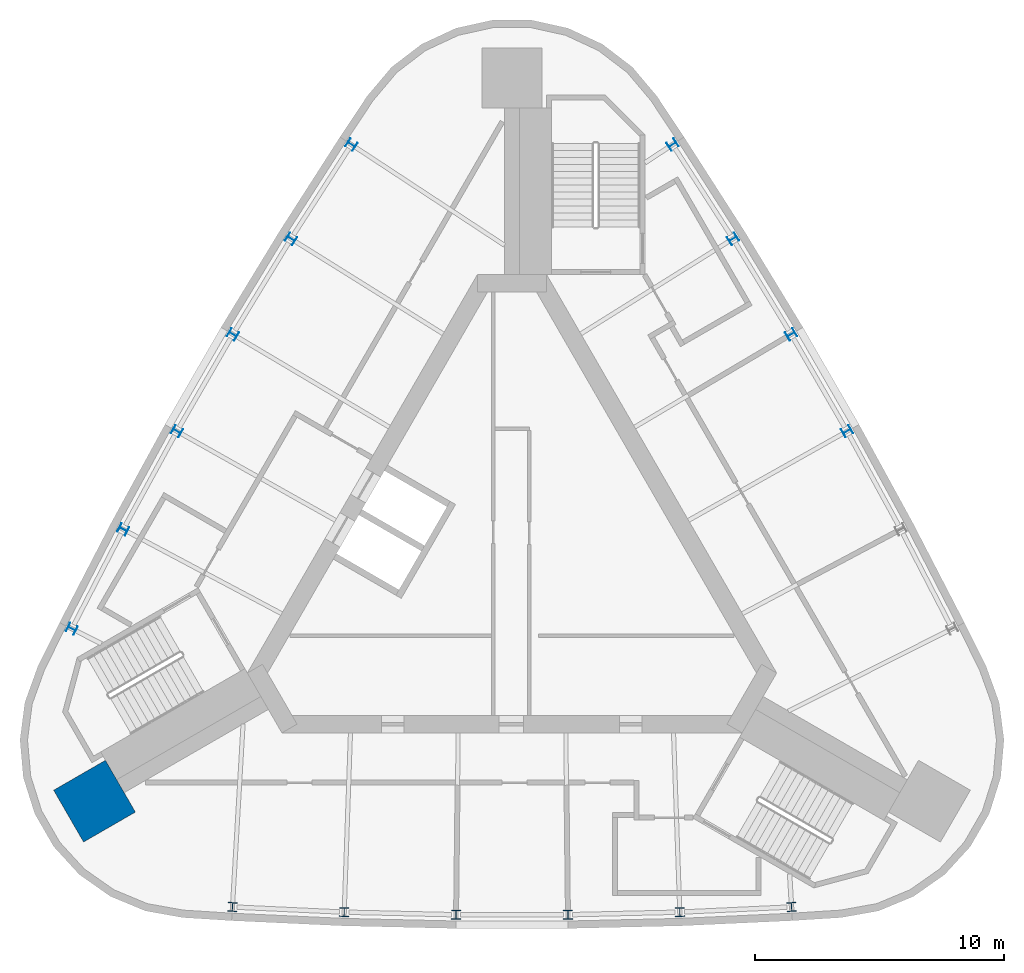
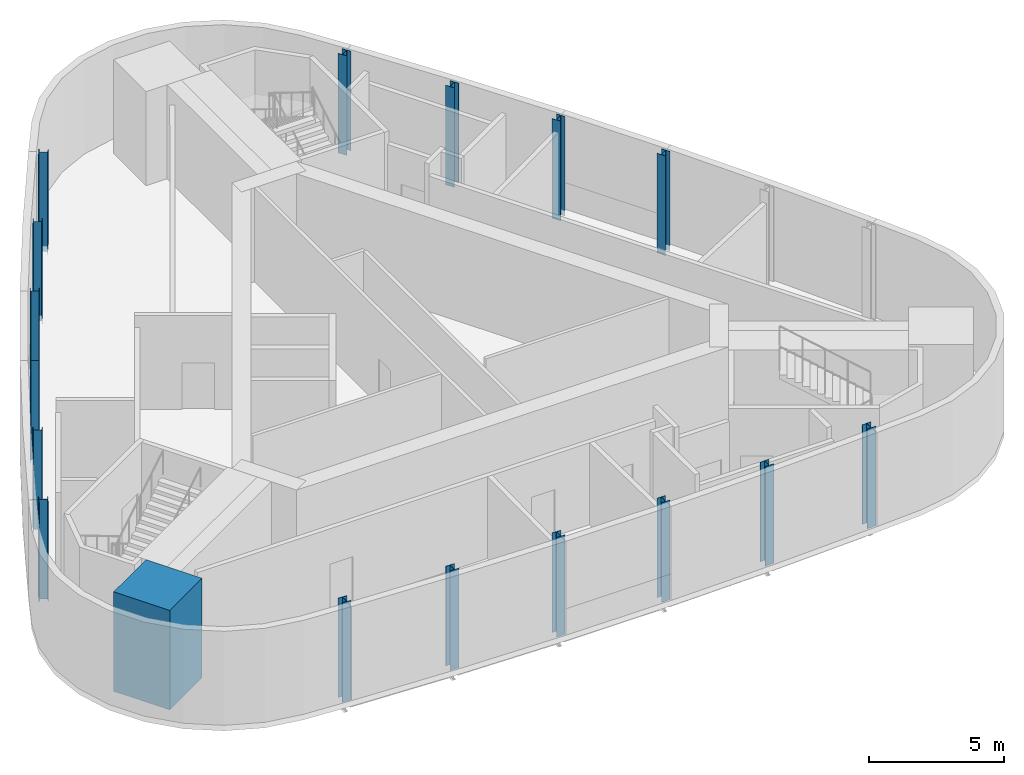
# One storey, part 1 of 7: 17 columns.
"""IFC4 building model written with IfcOpenShell, lengths in metres."""

from ifc_helpers import new_model, si_unit, direction, frame, origin, origin_2d, place, context, subcontext, project, spatial, rectangle, i_section, extrude, material, material_profile, profile_set, type_object, element, save


model = new_model("IFC4")

# Units and contexts
model_context = context("Model", 3, precision=1e-05, world=origin(), true_north=direction((0.0, 1.0)))
body_context = subcontext(model_context, "Body", "Model", "MODEL_VIEW")
ifc_project = project(units=[si_unit("LENGTHUNIT", "METRE"), si_unit("AREAUNIT", "SQUARE_METRE"), si_unit("VOLUMEUNIT", "CUBIC_METRE"), si_unit("PLANEANGLEUNIT", "RADIAN"), si_unit("MASSUNIT", "GRAM", prefix="KILO")], contexts=[model_context])

# Site, building, storey
site_placement = place(None, origin())
site = spatial("IfcSite", under=ifc_project, at=site_placement, CompositionType="ELEMENT")
building_placement = place(site_placement, origin())
building = spatial("IfcBuilding", under=site, at=building_placement, Name="Noor Cloister Tower", CompositionType="ELEMENT")
storey_placement = place(building_placement, frame((0.0, 0.0, 293.10009765625)))
storey = spatial("IfcBuildingStorey", under=building, at=storey_placement, Name="L74", CompositionType="ELEMENT", Elevation=293.10009765625)

# Columns
ifc_material_1 = material(Name="Steel ASTM A992 Gr 50", Category="steel")
ifc_material_profile_1 = material_profile(ifc_material_1, i_section(OverallWidth=0.367919921875, OverallDepth=0.35595703125, WebThickness=0.01123046875, FlangeThickness=0.01806640625, FilletRadius=0.015380859375, at=origin_2d()), Name="W360x134")
ifc_profile_set_1 = profile_set([ifc_material_profile_1], Name="Steel ASTM A992 Gr 50")
column_type_1 = type_object("IfcColumnType", Name="Column W360x134", PredefinedType="COLUMN", material=ifc_profile_set_1)
for number, where, z_axis, x_axis, name in (
    (1, (-6.441650390625, 16.66552734375, -0.25), (0.0, 0.0, 1.0), (-0.549344612048, -0.835595893488, 0.0), "Column NW 01 L74"),
    (2, (-8.863037109375, 12.8876953125, -0.25), (0.0, 0.0, 1.0), (-0.529819164802, -0.84811063701, 0.0), "Column NW 02 L74"),
    (3, (-11.196044921875, 9.0546875, -0.25), (0.0, 0.0, 1.0), (-0.51000874803, -0.860169214127, 0.0), "Column NW 03 L74"),
    (4, (-13.439697265625, 5.168701171875, -0.25), (0.0, 0.0, 1.0), (-0.489924016972, -0.87176513901, 0.0), "Column NW 04 L74"),
    (5, (-15.592529296875, 1.231689453125, -0.25), (0.0, 0.0, 1.0), (-0.469575774469, -0.882892174635, 0.0), "Column NW 05 L74"),
    (6, (-17.653564453125, -2.75390625, -0.25), (0.0, 0.0, 1.0), (-0.448974965035, -0.893544336209, 0.0), "Column NW 06 L74"),
    (7, (-11.2119140625, -13.911376953125, -0.25), (0.0, 0.0, 1.0), (0.998319577082, -0.057948442721, 0.0), "Column S 01 L74"),
    (8, (-6.7294921875, -14.119384765625, -0.25), (0.0, 0.0, 1.0), (0.999394939271, -0.034781537625, 0.0), "Column S 02 L74"),
    (9, (-2.24365234375, -14.2236328125, -0.25), (0.0, 0.0, 1.0), (0.999932765003, -0.011595924883, 0.0), "Column S 03 L74"),
    (10, (2.24365234375, -14.2236328125, -0.25), (0.0, 0.0, 1.0), (0.999932765003, 0.011595924883, 0.0), "Column S 04 L74"),
    (11, (6.7294921875, -14.119384765625, -0.25), (0.0, 0.0, 1.0), (0.999394939271, 0.034781537625, 0.0), "Column S 05 L74"),
    (12, (11.2119140625, -13.911376953125, -0.25), (0.0, 0.0, 1.0), (0.998319577082, 0.057948442721, 0.0), "Column S 06 L74"),
    (13, (13.439697265625, 5.168701171875, -0.25), (0.0, 0.0, 1.0), (-0.489924016972, 0.87176513901, 0.0), "Column NE 03 L74"),
    (14, (11.196044921875, 9.0546875, -0.25), (0.0, 0.0, 1.0), (-0.51000874803, 0.860169214127, 0.0), "Column NE 04 L74"),
    (15, (8.863037109375, 12.8876953125, -0.25), (0.0, 0.0, 1.0), (-0.529819164802, 0.84811063701, 0.0), "Column NE 05 L74"),
    (16, (6.441650390625, 16.66552734375, -0.25), (0.0, 0.0, 1.0), (-0.549344612048, 0.835595893488, 0.0), "Column NE 06 L74"),
):
    element("IfcColumn", number, at=place(storey_placement, frame(where, z_axis=z_axis, x_axis=x_axis)), inside=storey, type_object=column_type_1, Name=name, PredefinedType="COLUMN", context=body_context, shape_type="SweptSolid", body=[
        extrude(i_section(OverallWidth=0.367919921875, OverallDepth=0.35595703125, WebThickness=0.01123046875, FlangeThickness=0.01806640625, FilletRadius=0.015380859375, at=origin_2d()), origin(), (0.0, 0.0, 1.0), 4.5),
    ])
ifc_material_2 = material(Name="Concrete C50/60", Category="concrete")
ifc_material_profile_2 = material_profile(ifc_material_2, rectangle(XDim=2.39990234375, YDim=2.39990234375, at=origin_2d()), Name="RC 2400x2400")
ifc_profile_set_2 = profile_set([ifc_material_profile_2], Name="Concrete C50/60")
column_type_2 = type_object("IfcColumnType", Name="Corner pier 2400 x 2400 C50/60", PredefinedType="COLUMN", material=ifc_profile_set_2)
column_placement = place(storey_placement, frame((-16.74462890625, -9.66748046875, -0.25), z_axis=(0.0, 0.0, 1.0), x_axis=(-0.866025403784, -0.5, 0.0)))
element("IfcColumn", 17, at=column_placement, inside=storey, type_object=column_type_2, Name="Corner pier SW L74", PredefinedType="COLUMN", context=body_context, shape_type="SweptSolid", body=[
    extrude(rectangle(XDim=2.39990234375, YDim=2.39990234375, at=origin_2d()), origin(), (0.0, 0.0, 1.0), 4.5),
])

save(model, "model.ifc")
